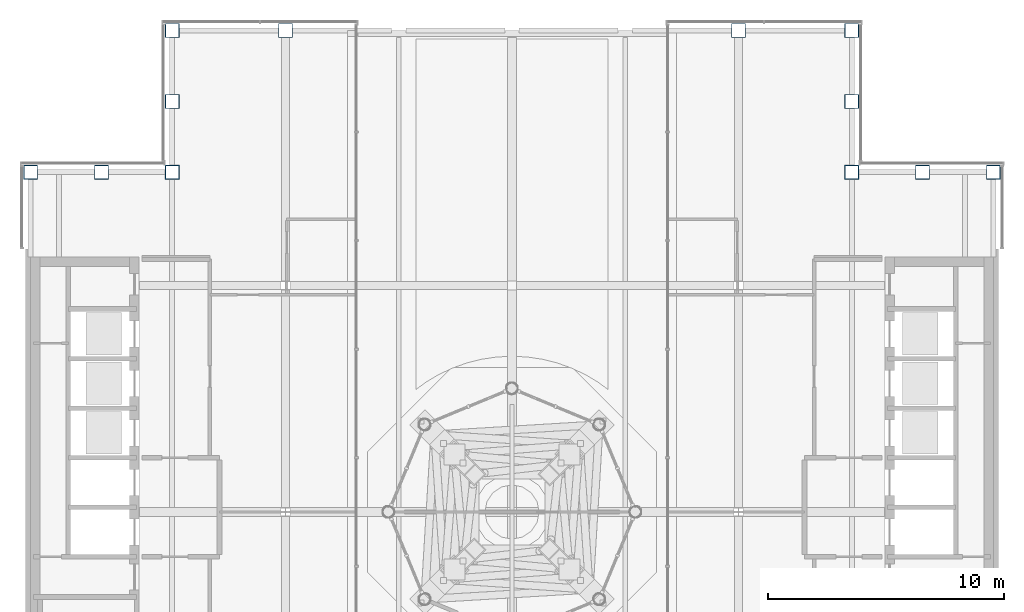
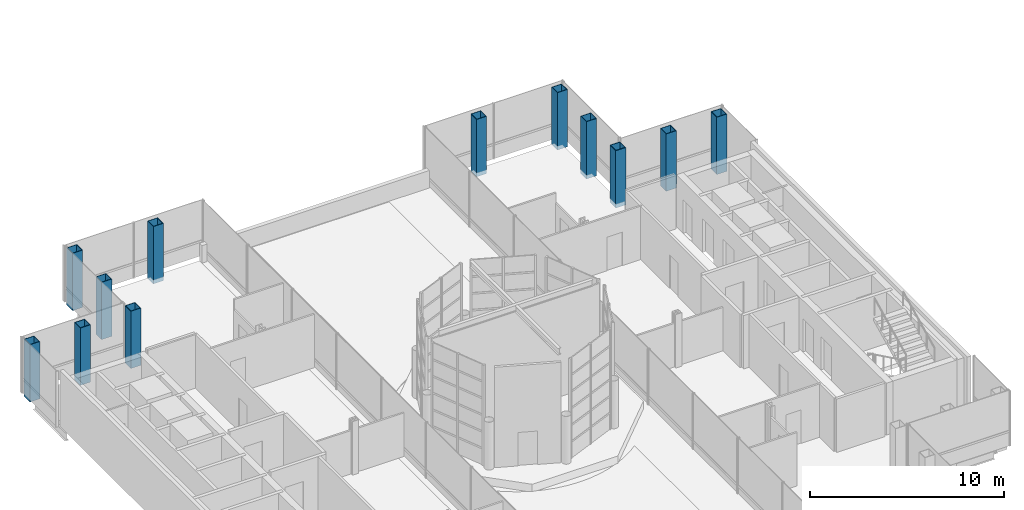
# One storey, part 4 of 32: 12 columns.
"""IFC4 building model written with IfcOpenShell, lengths in metres."""

import ifcopenshell
import ifcopenshell.guid

model = None  # the IFC model being written
_history = None  # IfcOwnerHistory: only IFC2X3 demands one
_inside = {}  # id of a spatial element -> (the spatial element, [elements in it])
_under = {}  # id of a project, library or spatial element -> (it, [spatial elements below it])
_declared = {}  # id of a project -> (the project, [libraries it declares])
_typed = {}  # id of a type object -> (the type object, [elements of that type])
_made_of = {}  # id of a material, layer set ... -> (it, [elements and type objects made of it])


def new_model(schema):
    """Start an empty IFC model of exactly this schema.

    Asked for "IFC4X3", IfcOpenShell would pick the latest addendum, in which some entities
    have other attributes; the version numbers below select the first issue.
    IFC2X3 requires an IfcOwnerHistory on every rooted entity: one is made here for all.
    """
    global model, _history
    if schema == "IFC4X3":
        model = ifcopenshell.file(schema_version=(4, 3, 0, 0))
    else:
        model = ifcopenshell.file(schema=schema)
    _inside.clear()
    _under.clear()
    _declared.clear()
    _typed.clear()
    _made_of.clear()
    _history = None
    if model.schema == "IFC2X3":
        org = make("IfcOrganization", Name="unknown")
        user = make(
            "IfcPersonAndOrganization",
            ThePerson=make("IfcPerson", FamilyName="unknown"),
            TheOrganization=org,
        )
        app = make(
            "IfcApplication",
            ApplicationDeveloper=org,
            Version="unknown",
            ApplicationFullName="unknown",
            ApplicationIdentifier="unknown",
        )
        _history = make(
            "IfcOwnerHistory",
            OwningUser=user,
            OwningApplication=app,
            ChangeAction="ADDED",
            CreationDate=0,
        )
    return model


def make(cls, **values):
    """One entity of the class cls with the attributes given. An attribute that is None is left unset."""
    return model.create_entity(
        cls, **{name: value for name, value in values.items() if value is not None}
    )


def rooted(cls, **values):
    """An entity with a GlobalId (a new one), such as an element, a storey or a relation."""
    return make(cls, GlobalId=ifcopenshell.guid.new(), OwnerHistory=_history, **values)


def si_unit(unit_type, name, prefix=None):
    """IfcSIUnit, for example si_unit("LENGTHUNIT", "METRE", prefix="MILLI")."""
    return make("IfcSIUnit", UnitType=unit_type, Prefix=prefix, Name=name)


def assignment(units):
    """IfcUnitAssignment: the units of a project."""
    return None if units is None else make("IfcUnitAssignment", Units=units)


def point(xyz):
    """IfcCartesianPoint."""
    return None if xyz is None else make("IfcCartesianPoint", Coordinates=xyz)


def direction(xyz):
    """IfcDirection."""
    return None if xyz is None else make("IfcDirection", DirectionRatios=xyz)


def frame(location, z_axis=None, x_axis=None):
    """IfcAxis2Placement3D, a coordinate frame: its origin and axes. An axis left out is left unset."""
    return make(
        "IfcAxis2Placement3D",
        Location=point(location),
        Axis=direction(z_axis),
        RefDirection=direction(x_axis),
    )


def frame_2d(location, x_axis=None):
    """IfcAxis2Placement2D, a coordinate frame in the plane: its origin and x axis."""
    return make(
        "IfcAxis2Placement2D", Location=point(location), RefDirection=direction(x_axis)
    )


def origin():
    """The frame at (0, 0, 0) with its axes left unset."""
    return frame((0.0, 0.0, 0.0))


def origin_2d():
    """The frame at (0, 0) in the plane with its x axis left unset."""
    return frame_2d((0.0, 0.0))


def place(relative_to, where):
    """IfcLocalPlacement: puts the frame where relative to a parent placement (None: the world)."""
    return make(
        "IfcLocalPlacement", PlacementRelTo=relative_to, RelativePlacement=where
    )


def context(
    kind, dimensions, precision=None, world=None, true_north=None, identifier=None
):
    """IfcGeometricRepresentationContext, for example the 3D "Model" context."""
    return make(
        "IfcGeometricRepresentationContext",
        ContextIdentifier=identifier,
        ContextType=kind,
        CoordinateSpaceDimension=dimensions,
        Precision=precision,
        WorldCoordinateSystem=world,
        TrueNorth=true_north,
    )


def subcontext(parent, identifier, kind, view, scale=None):
    """IfcGeometricRepresentationSubContext, for example "Body" below "Model"."""
    return make(
        "IfcGeometricRepresentationSubContext",
        ContextIdentifier=identifier,
        ContextType=kind,
        ParentContext=parent,
        TargetScale=scale,
        TargetView=view,
    )


def project(units=None, contexts=None):
    """IfcProject with its units and contexts."""
    return rooted(
        "IfcProject",
        Name="project",
        RepresentationContexts=contexts,
        UnitsInContext=assignment(units),
    )


def spatial(cls, under=None, at=None, **own):
    """A site, building, storey or space (cls), placed at a placement, below another one or the project."""
    s = rooted(cls, ObjectPlacement=at, **own)
    if under is not None:
        _under.setdefault(under.id(), (under, []))[1].append(s)
    return s


def profile(cls, at=None, kind="AREA", **sizes):
    """A parametric profile (cls). Its sizes go by their IFC names, for example OverallWidth=200.0."""
    return make(cls, ProfileType=kind, Position=at, **sizes)


def hollow_rectangle(**sizes):
    """IfcRectangleHollowProfileDef."""
    return profile("IfcRectangleHollowProfileDef", **sizes)


def extrude(swept, where, along, depth):
    """IfcExtrudedAreaSolid: the profile swept, set in the frame where, extruded along a direction by depth."""
    return make(
        "IfcExtrudedAreaSolid",
        SweptArea=swept,
        Position=where,
        ExtrudedDirection=direction(along),
        Depth=depth,
    )


def shape(context_of_items, identifier, shape_type, items):
    """IfcShapeRepresentation: the items that make up one representation, for example the "Body"."""
    return make(
        "IfcShapeRepresentation",
        ContextOfItems=context_of_items,
        RepresentationIdentifier=identifier,
        RepresentationType=shape_type,
        Items=items,
    )


def material(Name=None, Category=None):
    """IfcMaterial."""
    return make("IfcMaterial", Name=Name, Category=Category)


def material_profile(
    of_material, cross_section, Name=None, Category=None, Priority=None
):
    """IfcMaterialProfile: a cross section and its material."""
    return make(
        "IfcMaterialProfile",
        Name=Name,
        Material=of_material,
        Profile=cross_section,
        Priority=Priority,
        Category=Category,
    )


def profile_set(profiles, Name=None, composite=None):
    """IfcMaterialProfileSet."""
    return make(
        "IfcMaterialProfileSet",
        Name=Name,
        MaterialProfiles=profiles,
        CompositeProfile=composite,
    )


def made_of(thing, what):
    """Note that an element or type object is made of a material, layer set ...; save() writes the relation."""
    if what is not None:
        _made_of.setdefault(what.id(), (what, []))[1].append(thing)
    return thing


def type_object(cls, material=None, **own):
    """A type object (cls), such as IfcWallType, which elements share."""
    return made_of(rooted(cls, **own), material)


def element(
    cls,
    number,
    at=None,
    inside=None,
    cuts=None,
    type_object=None,
    material=None,
    context=None,
    identifier="Body",
    shape_type=None,
    held_by="IfcProductDefinitionShape",
    body=None,
    shapes=None,
    **own,
):
    """One element of the class cls, such as IfcWall. Its Tag is "e" and its number.

    at: its placement. inside: the storey or other place that contains it. cuts: it is an
    opening in that element (IfcRelVoidsElement). A single representation is given by context,
    identifier, shape_type and body (its items); several are given by shapes. held_by: the class
    of the entity that holds the representations. save() writes the other relations.
    """
    e = rooted(cls, Tag="e%d" % number, ObjectPlacement=at, **own)
    if body is not None:
        shapes = [shape(context, identifier, shape_type, body)]
    if shapes is not None:
        e.Representation = make(held_by, Representations=shapes)
    if inside is not None:
        _inside.setdefault(inside.id(), (inside, []))[1].append(e)
    if cuts is not None:
        rooted(
            "IfcRelVoidsElement", RelatingBuildingElement=cuts, RelatedOpeningElement=e
        )
    if type_object is not None:
        _typed.setdefault(type_object.id(), (type_object, []))[1].append(e)
    return made_of(e, material)


def aggregate(whole, parts):
    """IfcRelAggregates: a whole, such as a stair, and the parts it consists of."""
    return rooted("IfcRelAggregates", RelatingObject=whole, RelatedObjects=parts)


def save(model, path):
    """Write the relations noted so far, then the file.

    IfcRelAggregates (storeys below a building ...), IfcRelContainedInSpatialStructure (elements
    in a storey), IfcRelDefinesByType, IfcRelAssociatesMaterial and IfcRelDeclares: one each for
    every whole, place, type object, material and project.
    """
    for whole, parts in _under.values():
        aggregate(whole, parts)
    for where, things in _inside.values():
        rooted(
            "IfcRelContainedInSpatialStructure",
            RelatedElements=things,
            RelatingStructure=where,
        )
    for kind, things in _typed.values():
        rooted("IfcRelDefinesByType", RelatedObjects=things, RelatingType=kind)
    for what, things in _made_of.values():
        rooted("IfcRelAssociatesMaterial", RelatedObjects=things, RelatingMaterial=what)
    for by, libraries in _declared.values():
        rooted("IfcRelDeclares", RelatingContext=by, RelatedDefinitions=libraries)
    model.write(path)


model = new_model("IFC4")

# Units and contexts
model_context = context("Model", 3, precision=1e-05, world=origin(), true_north=direction((0.0, 1.0)))
body_context = subcontext(model_context, "Body", "Model", "MODEL_VIEW")
ifc_project = project(units=[si_unit("LENGTHUNIT", "METRE"), si_unit("AREAUNIT", "SQUARE_METRE"), si_unit("VOLUMEUNIT", "CUBIC_METRE"), si_unit("PLANEANGLEUNIT", "RADIAN"), si_unit("MASSUNIT", "GRAM", prefix="KILO")], contexts=[model_context])

# Site, building, storey
site_placement = place(None, origin())
site = spatial("IfcSite", under=ifc_project, at=site_placement, CompositionType="ELEMENT")
building_placement = place(site_placement, origin())
building = spatial("IfcBuilding", under=site, at=building_placement, Name="Cobrizo Arcos Hotel Tower", CompositionType="ELEMENT")
storey_placement = place(building_placement, frame((0.0, 0.0, 265.5)))
storey = spatial("IfcBuildingStorey", under=building, at=storey_placement, Name="L70", CompositionType="ELEMENT", Elevation=265.5)

# Columns
ifc_material = material(Name="Steel ASTM A572 Grade 50", Category="steel")
ifc_material_profile = material_profile(ifc_material, hollow_rectangle(XDim=0.60009765625, YDim=0.60009765625, WallThickness=0.030029296875, at=origin_2d()), Name="BOX 600X600X30")
ifc_profile_set = profile_set([ifc_material_profile], Name="Steel ASTM A572 Grade 50")
column_type = type_object("IfcColumnType", Name="BOX 600X600X30 column", PredefinedType="COLUMN", material=ifc_profile_set)
for number, where, z_axis, x_axis, name in (
    (1, (-14.39990234375, 20.39990234375, -0.25), (0.0, 0.0, 1.0), (1.0, 0.0, 0.0), "Perimeter column C12, L70, no. 00"),
    (2, (-9.60009765625, 20.39990234375, -0.25), (0.0, 0.0, 1.0), (1.0, 0.0, 0.0), "Perimeter column C12, L70, no. 02"),
    (3, (9.60009765625, 20.39990234375, -0.25), (0.0, 0.0, 1.0), (1.0, 0.0, 0.0), "Perimeter column C12, L70, no. 04"),
    (4, (14.39990234375, 20.39990234375, -0.25), (0.0, 0.0, 1.0), (1.0, 0.0, 0.0), "Perimeter column C12, L70, no. 06"),
    (5, (20.39990234375, 14.39990234375, -0.25), (0.0, 0.0, 1.0), (1.0, 0.0, 0.0), "Perimeter column C12, L70, no. 10"),
    (6, (-20.39990234375, 14.39990234375, -0.25), (0.0, 0.0, 1.0), (1.0, 0.0, 0.0), "Perimeter column C12, L70, no. 11"),
    (7, (-14.39990234375, 14.39990234375, -0.25), (0.0, 0.0, 1.0), (1.0, 0.0, 0.0), "Perimeter column C12, L70, no. 15"),
    (8, (-14.39990234375, 17.39990234375, -0.25), (0.0, 0.0, 1.0), (1.0, 0.0, 0.0), "Perimeter column C12, L70, no. 16"),
    (9, (-17.39990234375, 14.39990234375, -0.25), (0.0, 0.0, 1.0), (1.0, 0.0, 0.0), "Perimeter column C12, L70, no. 17"),
    (10, (14.39990234375, 14.39990234375, -0.25), (0.0, 0.0, 1.0), (1.0, 0.0, 0.0), "Perimeter column C12, L70, no. 21"),
    (11, (14.39990234375, 17.39990234375, -0.25), (0.0, 0.0, 1.0), (1.0, 0.0, 0.0), "Perimeter column C12, L70, no. 22"),
    (12, (17.39990234375, 14.39990234375, -0.25), (0.0, 0.0, 1.0), (1.0, 0.0, 0.0), "Perimeter column C12, L70, no. 23"),
):
    element("IfcColumn", number, at=place(storey_placement, frame(where, z_axis=z_axis, x_axis=x_axis)), inside=storey, type_object=column_type, Name=name, PredefinedType="COLUMN", context=body_context, shape_type="SweptSolid", body=[
        extrude(hollow_rectangle(XDim=0.60009765625, YDim=0.60009765625, WallThickness=0.030029296875, at=origin_2d()), origin(), (0.0, 0.0, 1.0), 3.60009765625),
    ])

save(model, "model.ifc")
